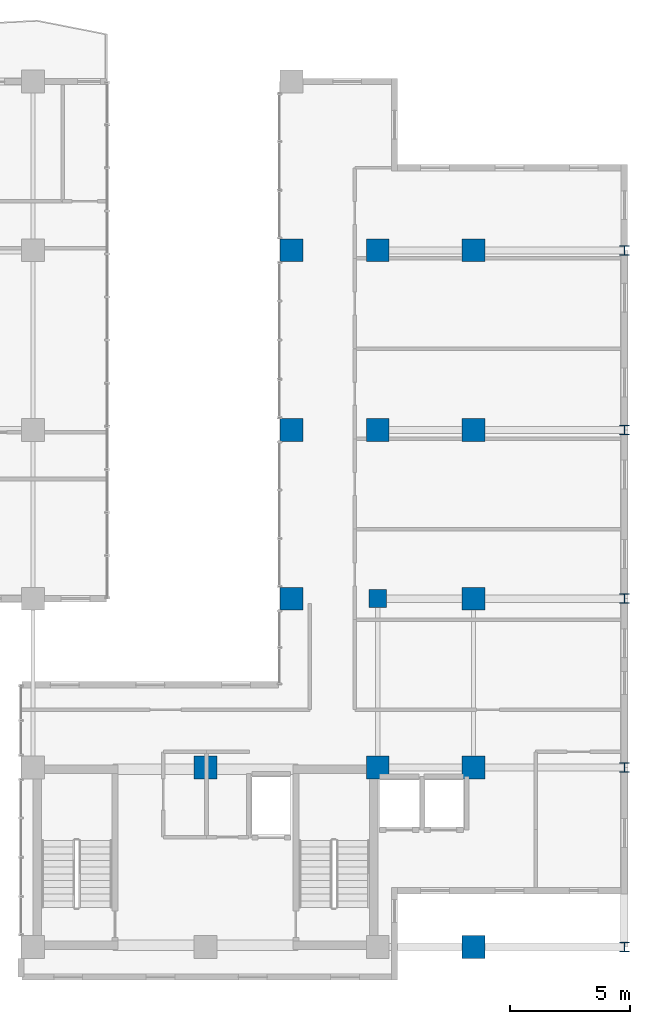
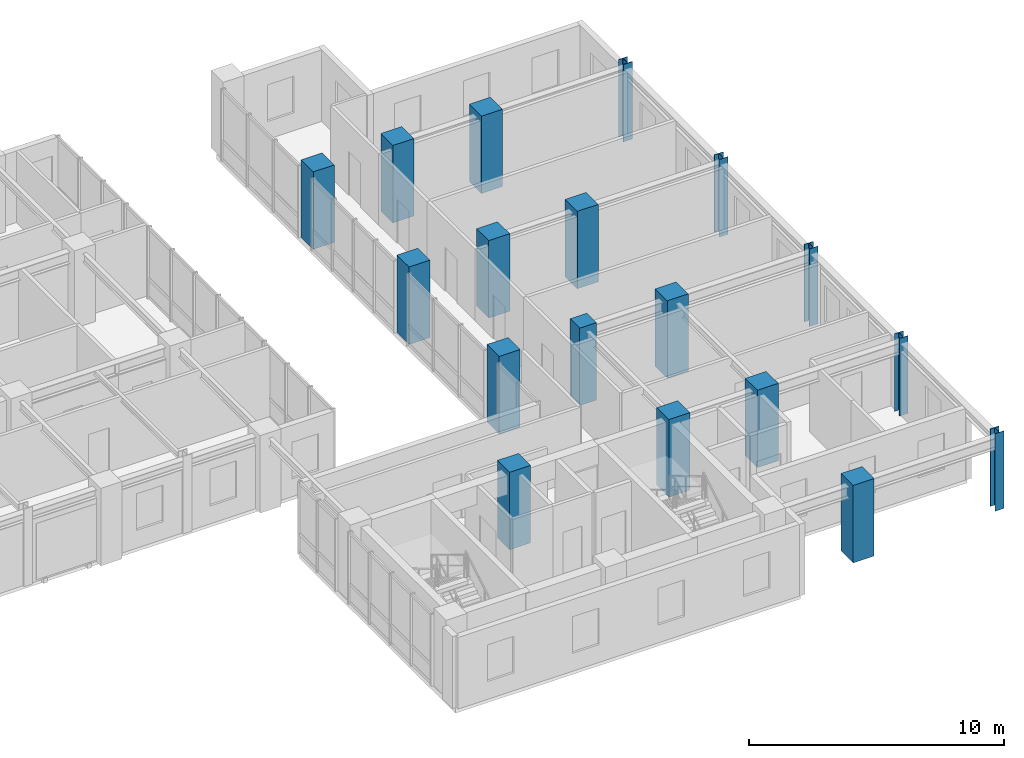
# One storey, part 2 of 24: 18 columns.
"""IFC4 building model written with IfcOpenShell, lengths in metres."""

from ifc_helpers import new_model, si_unit, direction, frame, origin, origin_2d, place, context, subcontext, project, spatial, rectangle, i_section, extrude, source, transform, mapped, material, material_profile, profile_set, type_object, element, save


model = new_model("IFC4")

# Units and contexts
model_context = context("Model", 3, precision=1e-05, world=origin(), true_north=direction((0.0, 1.0)))
body_context = subcontext(model_context, "Body", "Model", "MODEL_VIEW")
ifc_project = project(units=[si_unit("LENGTHUNIT", "METRE"), si_unit("AREAUNIT", "SQUARE_METRE"), si_unit("VOLUMEUNIT", "CUBIC_METRE"), si_unit("PLANEANGLEUNIT", "RADIAN"), si_unit("MASSUNIT", "GRAM", prefix="KILO")], contexts=[model_context])

# Site, building, storey
site_placement = place(None, origin())
site = spatial("IfcSite", under=ifc_project, at=site_placement, CompositionType="ELEMENT")
building_placement = place(site_placement, origin())
building = spatial("IfcBuilding", under=site, at=building_placement, Name="Kaliganga Portal Commons", CompositionType="ELEMENT")
storey_placement = place(building_placement, frame((0.0, 0.0, 242.5)))
storey = spatial("IfcBuildingStorey", under=building, at=storey_placement, Name="L62", CompositionType="ELEMENT", Elevation=242.5)

# Columns
ifc_material_1 = material(Name="Concrete C60/75", Category="concrete")
ifc_material_profile_1 = material_profile(ifc_material_1, rectangle(XDim=0.75, YDim=0.75, at=origin_2d()), Name="RC 750x750")
ifc_profile_set_1 = profile_set([ifc_material_profile_1], Name="Concrete C60/75")
column_type_1 = type_object("IfcColumnType", Name="COL-PILASTER-RC", PredefinedType="PILASTER", material=ifc_profile_set_1)
shared_shape_1 = source(origin(), body_context, "Body", "SweptSolid", [
    extrude(rectangle(XDim=0.75, YDim=0.75, at=origin_2d()), origin(), (0.0, 0.0, 1.0), 3.699951171875),
])
column_placement = place(storey_placement, frame((50.39990234375, 21.60009765625, 0.0), z_axis=(0.0, 0.0, 1.0), x_axis=(1.0, 0.0, 0.0)))
element("IfcColumn", 1, at=column_placement, inside=storey, type_object=column_type_1, Name="Column CP-01 L62", PredefinedType="PILASTER", context=body_context, shape_type="MappedRepresentation", body=[
    mapped(shared_shape_1, transform((0.0, 0.0, 0.0), x_axis=(1.0, 0.0, 0.0), y_axis=(0.0, 1.0, 0.0), z_axis=(0.0, 0.0, 1.0), scale=1.0)),
])
ifc_material_2 = material(Name="Concrete C50/60", Category="concrete")
ifc_material_profile_2 = material_profile(ifc_material_2, rectangle(XDim=0.949951171875, YDim=0.949951171875, at=origin_2d()), Name="RC 950x950")
ifc_profile_set_2 = profile_set([ifc_material_profile_2], Name="Concrete C50/60")
column_type_2 = type_object("IfcColumnType", Name="COL-MEGA-Z4", PredefinedType="COLUMN", material=ifc_profile_set_2)
shared_shape_2 = source(origin(), body_context, "Body", "SweptSolid", [
    extrude(rectangle(XDim=0.949951171875, YDim=0.949951171875, at=origin_2d()), origin(), (0.0, 0.0, 1.0), 3.699951171875),
])
for number, where, z_axis, x_axis, name in (
    (2, (46.800048828125, 21.60009765625, 0.0), (0.0, 0.0, 1.0), (1.0, 0.0, 0.0), "Column MC-05 L62"),
    (3, (46.800048828125, 28.64990234375, 0.0), (0.0, 0.0, 1.0), (1.0, 0.0, 0.0), "Column MC-05 L62"),
    (4, (46.800048828125, 36.14990234375, 0.0), (0.0, 0.0, 1.0), (1.0, 0.0, 0.0), "Column MC-05 L62"),
    (5, (43.199951171875, 14.550048828125, 0.0), (0.0, 0.0, 1.0), (1.0, 0.0, 0.0), "Column MC-05 L62"),
    (6, (50.39990234375, 14.550048828125, 0.0), (0.0, 0.0, 1.0), (1.0, 0.0, 0.0), "Column MC-05 L62"),
    (7, (50.39990234375, 28.64990234375, 0.0), (0.0, 0.0, 1.0), (1.0, 0.0, 0.0), "Column MC-05 L62"),
    (8, (50.39990234375, 36.14990234375, 0.0), (0.0, 0.0, 1.0), (1.0, 0.0, 0.0), "Column MC-05 L62"),
    (9, (54.39990234375, 7.050048828125, 0.0), (0.0, 0.0, 1.0), (1.0, 0.0, 0.0), "Column MC-05 L62"),
    (10, (54.39990234375, 14.550048828125, 0.0), (0.0, 0.0, 1.0), (1.0, 0.0, 0.0), "Column MC-05 L62"),
    (11, (54.39990234375, 21.60009765625, 0.0), (0.0, 0.0, 1.0), (1.0, 0.0, 0.0), "Column MC-05 L62"),
    (12, (54.39990234375, 28.64990234375, 0.0), (0.0, 0.0, 1.0), (1.0, 0.0, 0.0), "Column MC-05 L62"),
    (13, (54.39990234375, 36.14990234375, 0.0), (0.0, 0.0, 1.0), (1.0, 0.0, 0.0), "Column MC-05 L62"),
):
    element("IfcColumn", number, at=place(storey_placement, frame(where, z_axis=z_axis, x_axis=x_axis)), inside=storey, type_object=column_type_2, Name=name, PredefinedType="COLUMN", context=body_context, shape_type="MappedRepresentation", body=[
        mapped(shared_shape_2, transform((0.0, 0.0, 0.0), x_axis=(1.0, 0.0, 0.0), y_axis=(0.0, 1.0, 0.0), z_axis=(0.0, 0.0, 1.0), scale=1.0)),
    ])
ifc_material_3 = material(Name="Structural steel S355J2", Category="steel")
ifc_material_profile_3 = material_profile(ifc_material_3, i_section(OverallWidth=0.39892578125, OverallDepth=0.39990234375, WebThickness=0.017333984375, FlangeThickness=0.0234375, FilletRadius=0.014892578125, at=origin_2d()), Name="HD 400x287")
ifc_profile_set_3 = profile_set([ifc_material_profile_3], Name="Structural steel S355J2 wide-flange")
column_type_3 = type_object("IfcColumnType", Name="COL-TUBE-B4", PredefinedType="COLUMN", material=ifc_profile_set_3)
shared_shape_3 = source(origin(), body_context, "Body", "SweptSolid", [
    extrude(i_section(OverallWidth=0.39892578125, OverallDepth=0.39990234375, WebThickness=0.017333984375, FlangeThickness=0.0234375, FilletRadius=0.014892578125, at=origin_2d()), origin(), (0.0, 0.0, 1.0), 3.699951171875),
])
for number, where, z_axis, x_axis, name in (
    (14, (60.699951171875, 7.050048828125, 0.0), (0.0, 0.0, 1.0), (1.0, 0.0, 0.0), "Column TC-04 L62"),
    (15, (60.699951171875, 14.550048828125, 0.0), (0.0, 0.0, 1.0), (1.0, 0.0, 0.0), "Column TC-04 L62"),
    (16, (60.699951171875, 21.60009765625, 0.0), (0.0, 0.0, 1.0), (1.0, 0.0, 0.0), "Column TC-04 L62"),
    (17, (60.699951171875, 28.64990234375, 0.0), (0.0, 0.0, 1.0), (1.0, 0.0, 0.0), "Column TC-04 L62"),
    (18, (60.699951171875, 36.14990234375, 0.0), (0.0, 0.0, 1.0), (1.0, 0.0, 0.0), "Column TC-04 L62"),
):
    element("IfcColumn", number, at=place(storey_placement, frame(where, z_axis=z_axis, x_axis=x_axis)), inside=storey, type_object=column_type_3, Name=name, PredefinedType="COLUMN", context=body_context, shape_type="MappedRepresentation", body=[
        mapped(shared_shape_3, transform((0.0, 0.0, 0.0), x_axis=(1.0, 0.0, 0.0), y_axis=(0.0, 1.0, 0.0), z_axis=(0.0, 0.0, 1.0), scale=1.0)),
    ])

save(model, "model.ifc")
